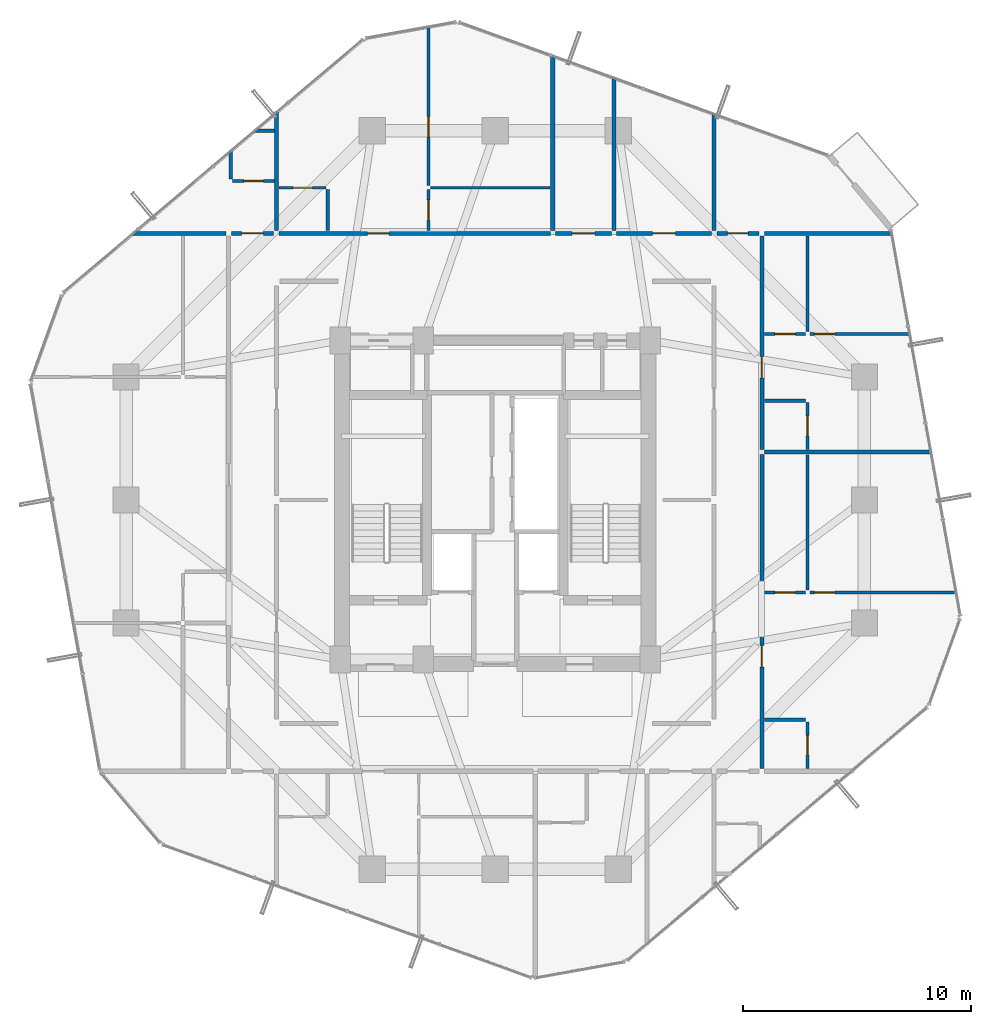
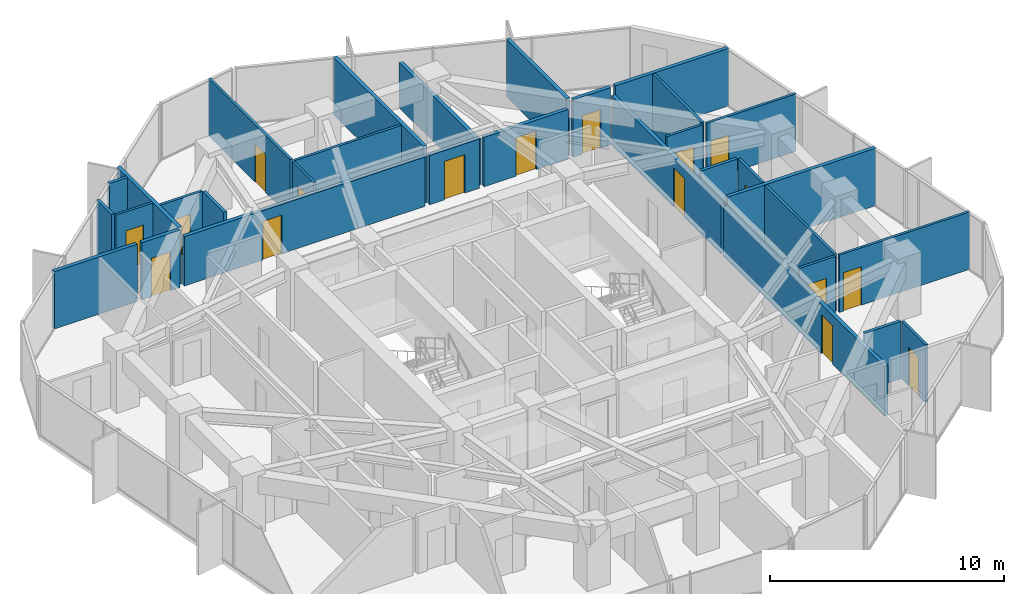
# One storey, part 33 of 36: 32 walls, 17 doors, 17 openings.
"""IFC4 building model written with IfcOpenShell, lengths in metres."""

from ifc_helpers import new_model, si_unit, direction, frame, frame_2d, origin, place, context, subcontext, project, spatial, rectangle, extrude, source, transform, mapped, material, layer, layer_set, type_object, element, fill, save


model = new_model("IFC4")

# Units and contexts
model_context = context("Model", 3, precision=1e-05, world=origin(), true_north=direction((0.0, 1.0)))
body_context = subcontext(model_context, "Body", "Model", "MODEL_VIEW")
ifc_project = project(units=[si_unit("LENGTHUNIT", "METRE"), si_unit("AREAUNIT", "SQUARE_METRE"), si_unit("VOLUMEUNIT", "CUBIC_METRE"), si_unit("PLANEANGLEUNIT", "RADIAN"), si_unit("MASSUNIT", "GRAM", prefix="KILO")], contexts=[model_context])

# Site, building, storey
site_placement = place(None, origin())
site = spatial("IfcSite", under=ifc_project, at=site_placement, CompositionType="ELEMENT")
building_placement = place(site_placement, origin())
building = spatial("IfcBuilding", under=site, at=building_placement, Name="Veraguas Prism Commons", CompositionType="ELEMENT")
storey_placement = place(building_placement, frame((0.0, 0.0, 163.050048828125)))
storey = spatial("IfcBuildingStorey", under=building, at=storey_placement, Name="L46", CompositionType="ELEMENT", Elevation=163.050048828125)

# Walls
ifc_material_1 = material(Name="Autoclaved aerated masonry block 10 MPa", Category="masonry")
ifc_layer_1 = layer(ifc_material_1, 0.179931640625, Name="Corridor and Inter-Tenancy Partition 180", Category="masonry")
ifc_layer_set_1 = layer_set([ifc_layer_1], Name="Autoclaved aerated masonry block 10 MPa")
wall_type_1 = type_object("IfcWallType", Name="Corridor and Inter-Tenancy Partition 180", PredefinedType="PARTITIONING", material=ifc_layer_set_1)
wall_1_placement = place(storey_placement, frame((14.39990234375, 35.820068359375, 0.0), z_axis=(0.0, 0.0, 1.0), x_axis=(0.0, 1.0, 0.0)))
element("IfcWall", 1, at=wall_1_placement, inside=storey, type_object=wall_type_1, Name="WL-L46-PT015", PredefinedType="PARTITIONING", context=body_context, shape_type="SweptSolid", body=[
    extrude(rectangle(XDim=5.2197265625, YDim=0.179931640625, at=frame_2d((2.60986328125, 0.0))), origin(), (0.0, 0.0, 1.0), 3.0),
])
wall_2_placement = place(storey_placement, frame((33.60009765625, 35.820068359375, 0.0), z_axis=(0.0, 0.0, 1.0), x_axis=(0.0, 1.0, 0.0)))
element("IfcWall", 2, at=wall_2_placement, inside=storey, type_object=wall_type_1, Name="WL-L46-PT016", PredefinedType="PARTITIONING", context=body_context, shape_type="SweptSolid", body=[
    extrude(rectangle(XDim=5.14208984375, YDim=0.179931640625, at=frame_2d((2.571044921875, 0.0))), origin(), (0.0, 0.0, 1.0), 3.0),
])

# Wall, opening, door
wall_3_placement = place(storey_placement, frame((14.510009765625, 35.699951171875, 0.0), z_axis=(0.0, 0.0, 1.0), x_axis=(1.0, 0.0, 0.0)))
wall_3 = element("IfcWall", 3, at=wall_3_placement, inside=storey, type_object=wall_type_1, Name="WL-L46-PT017", PredefinedType="PARTITIONING", context=body_context, shape_type="SweptSolid", body=[
    extrude(rectangle(XDim=11.904052734375, YDim=0.179931640625, at=frame_2d((5.9521484375, 0.0))), origin(), (0.0, 0.0, 1.0), 2.579833984375),
])
opening_1_placement = place(wall_3_placement, frame((3.8740234375, 0.0, 0.0)))
opening_1 = element("IfcOpeningElement", 4, at=opening_1_placement, cuts=wall_3, Name="Opening DR-01", PredefinedType="OPENING", context=body_context, shape_type="SweptSolid", body=[
    extrude(rectangle(XDim=0.949951171875, YDim=2.02001953125, at=frame_2d((0.47509765625, 1.010009765625))), frame((0.0, 0.099853515625, 0.0), z_axis=(0.0, -1.0, 0.0), x_axis=(1.0, 0.0, 0.0)), (0.0, 0.0, 1.0), 0.199951171875),
])
ifc_material_2 = material(Name="Anodised aluminium EN AW-6063 T6", Category="aluminium")
door_type_1 = type_object("IfcDoorType", Name="Apartment Entrance Fire Door 950x2020", OperationType="NOTDEFINED", PredefinedType="DOOR", material=ifc_material_2)
shared_shape_1 = source(origin(), body_context, "Body", "SweptSolid", [
    extrude(rectangle(XDim=0.949951171875, YDim=2.02001953125, at=frame_2d((0.47509765625, 1.010009765625))), frame((0.0, 0.02490234375, 0.0), z_axis=(0.0, -1.0, 0.0), x_axis=(1.0, 0.0, 0.0)), (0.0, 0.0, 1.0), 0.050048828125),
])
door_1_placement = place(opening_1_placement, origin())
door_1 = element("IfcDoor", 5, at=door_1_placement, inside=storey, type_object=door_type_1, Name="Flat 46C Entrance Door", OperationType="SINGLE_SWING_RIGHT", OverallHeight=2.02001953125, OverallWidth=0.949951171875, PredefinedType="DOOR", context=body_context, shape_type="MappedRepresentation", body=[
    mapped(shared_shape_1, transform((0.0, 0.0, 0.0), scale=1.0)),
])
fill(opening_1, door_1)

# Wall
wall_4_placement = place(storey_placement, frame((26.52392578125, 35.820068359375, 0.0), z_axis=(0.0, 0.0, 1.0), x_axis=(0.0, 1.0, 0.0)))
element("IfcWall", 6, at=wall_4_placement, inside=storey, type_object=wall_type_1, Name="WL-L46-PT023", PredefinedType="PARTITIONING", context=body_context, shape_type="SweptSolid", body=[
    extrude(rectangle(XDim=7.692626953125, YDim=0.179931640625, at=frame_2d((3.84619140625, 0.0))), origin(), (0.0, 0.0, 1.0), 3.0),
])

# Wall, opening, door
wall_5_placement = place(storey_placement, frame((26.634033203125, 35.699951171875, 0.0), z_axis=(0.0, 0.0, 1.0), x_axis=(1.0, 0.0, 0.0)))
wall_5 = element("IfcWall", 7, at=wall_5_placement, inside=storey, type_object=wall_type_1, Name="WL-L46-PT024", PredefinedType="PARTITIONING", context=body_context, shape_type="SweptSolid", body=[
    extrude(rectangle(XDim=2.468994140625, YDim=0.179931640625, at=frame_2d((1.234375, 0.0))), origin(), (0.0, 0.0, 1.0), 2.579833984375),
])
opening_2_placement = place(wall_5_placement, frame((0.734619140625, 0.0, 0.0)))
opening_2 = element("IfcOpeningElement", 8, at=opening_2_placement, cuts=wall_5, Name="Opening DR-13", PredefinedType="OPENING", context=body_context, shape_type="SweptSolid", body=[
    extrude(rectangle(XDim=1.0, YDim=2.010009765625, at=frame_2d((0.5, 1.0048828125))), frame((0.0, 0.099853515625, 0.0), z_axis=(0.0, -1.0, 0.0), x_axis=(1.0, 0.0, 0.0)), (0.0, 0.0, 1.0), 0.199951171875),
])
ifc_material_3 = material(Name="Steel fire-rated door assembly", Category="steel")
door_type_2 = type_object("IfcDoorType", Name="Core Accessible WC and Clinic Fire Door 1000x2010", OperationType="NOTDEFINED", PredefinedType="DOOR", material=ifc_material_3)
shared_shape_2 = source(origin(), body_context, "Body", "SweptSolid", [
    extrude(rectangle(XDim=1.0, YDim=2.010009765625, at=frame_2d((0.5, 1.0048828125))), frame((0.0, 0.02490234375, 0.0), z_axis=(0.0, -1.0, 0.0), x_axis=(1.0, 0.0, 0.0)), (0.0, 0.0, 1.0), 0.050048828125),
])
door_2_placement = place(opening_2_placement, origin())
door_2 = element("IfcDoor", 9, at=door_2_placement, inside=storey, type_object=door_type_2, Name="Residents Study Room Door", OperationType="SINGLE_SWING_RIGHT", OverallHeight=2.010009765625, OverallWidth=1.0, PredefinedType="DOOR", context=body_context, shape_type="MappedRepresentation", body=[
    mapped(shared_shape_2, transform((0.0, 0.0, 0.0), scale=1.0)),
])
fill(opening_2, door_2)

wall_6_placement = place(storey_placement, frame((29.322998046875, 35.699951171875, 0.0), z_axis=(0.0, 0.0, 1.0), x_axis=(1.0, 0.0, 0.0)))
wall_6 = element("IfcWall", 10, at=wall_6_placement, inside=storey, type_object=wall_type_1, Name="WL-L46-PT025", PredefinedType="PARTITIONING", context=body_context, shape_type="SweptSolid", body=[
    extrude(rectangle(XDim=4.1669921875, YDim=0.179931640625, at=frame_2d((2.08349609375, 0.0))), origin(), (0.0, 0.0, 1.0), 2.579833984375),
])
opening_3_placement = place(wall_6_placement, frame((1.58349609375, 0.0, 0.0)))
opening_3 = element("IfcOpeningElement", 11, at=opening_3_placement, cuts=wall_6, Name="Opening DR-13", PredefinedType="OPENING", context=body_context, shape_type="SweptSolid", body=[
    extrude(rectangle(XDim=1.0, YDim=2.010009765625, at=frame_2d((0.5, 1.0048828125))), frame((0.0, 0.099853515625, 0.0), z_axis=(0.0, -1.0, 0.0), x_axis=(1.0, 0.0, 0.0)), (0.0, 0.0, 1.0), 0.199951171875),
])
door_3_placement = place(opening_3_placement, origin())
door_3 = element("IfcDoor", 12, at=door_3_placement, inside=storey, type_object=door_type_2, Name="Co-op Store N Door", OperationType="SINGLE_SWING_LEFT", OverallHeight=2.010009765625, OverallWidth=1.0, PredefinedType="DOOR", context=body_context, shape_type="MappedRepresentation", body=[
    mapped(shared_shape_2, transform((0.0, 0.0, 0.0), scale=1.0)),
])
fill(opening_3, door_3)

# Walls
wall_7_placement = place(storey_placement, frame((29.212890625, 35.820068359375, 0.0), z_axis=(0.0, 0.0, 1.0), x_axis=(0.0, 1.0, 0.0)))
element("IfcWall", 13, at=wall_7_placement, inside=storey, type_object=wall_type_1, Name="WL-L46-PT026", PredefinedType="PARTITIONING", context=body_context, shape_type="SweptSolid", body=[
    extrude(rectangle(XDim=6.723388671875, YDim=0.179931640625, at=frame_2d((3.36181640625, 0.0))), origin(), (0.0, 0.0, 1.0), 2.3779296875),
])
wall_8_placement = place(storey_placement, frame((12.179931640625, 35.699951171875, 0.0), z_axis=(0.0, 0.0, 1.0), x_axis=(-1.0, 0.0, 0.0)))
element("IfcWall", 14, at=wall_8_placement, inside=storey, type_object=wall_type_1, Name="WL-L46-PT028", PredefinedType="PARTITIONING", context=body_context, shape_type="SweptSolid", body=[
    extrude(rectangle(XDim=4.10302734375, YDim=0.179931640625, at=frame_2d((2.051513671875, 0.0))), origin(), (0.0, 0.0, 1.0), 3.0),
])
wall_9_placement = place(storey_placement, frame((35.820068359375, 35.699951171875, 0.0), z_axis=(0.0, 0.0, 1.0), x_axis=(1.0, 0.0, 0.0)))
element("IfcWall", 15, at=wall_9_placement, inside=storey, type_object=wall_type_1, Name="WL-L46-PT040", PredefinedType="PARTITIONING", context=body_context, shape_type="SweptSolid", body=[
    extrude(rectangle(XDim=5.5986328125, YDim=0.179931640625, at=frame_2d((2.79931640625, 0.0))), origin(), (0.0, 0.0, 1.0), 3.0),
])

# Wall, opening, door
wall_10_placement = place(storey_placement, frame((35.699951171875, 12.2099609375, 0.0), z_axis=(0.0, 0.0, 1.0), x_axis=(0.0, 1.0, 0.0)))
wall_10 = element("IfcWall", 16, at=wall_10_placement, inside=storey, type_object=wall_type_1, Name="WL-L46-PT041", PredefinedType="PARTITIONING", context=body_context, shape_type="SweptSolid", body=[
    extrude(rectangle(XDim=13.781982421875, YDim=0.179931640625, at=frame_2d((6.89111328125, 0.0))), origin(), (0.0, 0.0, 1.0), 2.579833984375),
])
opening_4_placement = place(wall_10_placement, frame((4.46044921875, 0.0, 0.0)))
opening_4 = element("IfcOpeningElement", 17, at=opening_4_placement, cuts=wall_10, Name="Opening DR-01", PredefinedType="OPENING", context=body_context, shape_type="SweptSolid", body=[
    extrude(rectangle(XDim=0.949951171875, YDim=2.02001953125, at=frame_2d((0.47509765625, 1.010009765625))), frame((0.0, 0.099853515625, 0.0), z_axis=(0.0, -1.0, 0.0), x_axis=(1.0, 0.0, 0.0)), (0.0, 0.0, 1.0), 0.199951171875),
])
door_4_placement = place(opening_4_placement, origin())
door_4 = element("IfcDoor", 18, at=door_4_placement, inside=storey, type_object=door_type_1, Name="Flat 46E Entrance Door", OperationType="SINGLE_SWING_RIGHT", OverallHeight=2.02001953125, OverallWidth=0.949951171875, PredefinedType="DOOR", context=body_context, shape_type="MappedRepresentation", body=[
    mapped(shared_shape_1, transform((0.0, 0.0, 0.0), scale=1.0)),
])
fill(opening_4, door_4)

# Wall
wall_11_placement = place(storey_placement, frame((35.820068359375, 26.10205078125, 0.0), z_axis=(0.0, 0.0, 1.0), x_axis=(1.0, 0.0, 0.0)))
element("IfcWall", 19, at=wall_11_placement, inside=storey, type_object=wall_type_1, Name="WL-L46-PT047", PredefinedType="PARTITIONING", context=body_context, shape_type="SweptSolid", body=[
    extrude(rectangle(XDim=7.322265625, YDim=0.179931640625, at=frame_2d((3.6611328125, 0.0))), origin(), (0.0, 0.0, 1.0), 3.0),
])

# Wall, opening, door
wall_12_placement = place(storey_placement, frame((35.699951171875, 26.2119140625, 0.0), z_axis=(0.0, 0.0, 1.0), x_axis=(0.0, 1.0, 0.0)))
wall_12 = element("IfcWall", 20, at=wall_12_placement, inside=storey, type_object=wall_type_1, Name="WL-L46-PT048", PredefinedType="PARTITIONING", context=body_context, shape_type="SweptSolid", body=[
    extrude(rectangle(XDim=9.378173828125, YDim=0.179931640625, at=frame_2d((4.68896484375, 0.0))), origin(), (0.0, 0.0, 1.0), 2.579833984375),
])
opening_5_placement = place(wall_12_placement, frame((3.131591796875, 0.0, 0.0)))
opening_5 = element("IfcOpeningElement", 21, at=opening_5_placement, cuts=wall_12, Name="Opening DR-01", PredefinedType="OPENING", context=body_context, shape_type="SweptSolid", body=[
    extrude(rectangle(XDim=0.949951171875, YDim=2.02001953125, at=frame_2d((0.47509765625, 1.010009765625))), frame((0.0, 0.099853515625, 0.0), z_axis=(0.0, -1.0, 0.0), x_axis=(1.0, 0.0, 0.0)), (0.0, 0.0, 1.0), 0.199951171875),
])
door_5_placement = place(opening_5_placement, origin())
door_5 = element("IfcDoor", 22, at=door_5_placement, inside=storey, type_object=door_type_1, Name="Flat 46F Entrance Door", OperationType="SINGLE_SWING_RIGHT", OverallHeight=2.02001953125, OverallWidth=0.949951171875, PredefinedType="DOOR", context=body_context, shape_type="MappedRepresentation", body=[
    mapped(shared_shape_1, transform((0.0, 0.0, 0.0), scale=1.0)),
])
fill(opening_5, door_5)

wall_13_placement = place(storey_placement, frame((12.419921875, 35.699951171875, 0.0), z_axis=(0.0, 0.0, 1.0), x_axis=(1.0, 0.0, 0.0)))
wall_13 = element("IfcWall", 23, at=wall_13_placement, inside=storey, type_object=wall_type_1, Name="WL-L46-PT059", PredefinedType="PARTITIONING", context=body_context, shape_type="SweptSolid", body=[
    extrude(rectangle(XDim=1.860107421875, YDim=0.179931640625, at=frame_2d((0.93017578125, 0.0))), origin(), (0.0, 0.0, 1.0), 3.0),
])
opening_6_placement = place(wall_13_placement, frame((0.455078125, 0.0, 0.0)))
opening_6 = element("IfcOpeningElement", 24, at=opening_6_placement, cuts=wall_13, Name="Opening DR-01", PredefinedType="OPENING", context=body_context, shape_type="SweptSolid", body=[
    extrude(rectangle(XDim=0.949951171875, YDim=2.02001953125, at=frame_2d((0.47509765625, 1.010009765625))), frame((0.0, 0.099853515625, 0.0), z_axis=(0.0, -1.0, 0.0), x_axis=(1.0, 0.0, 0.0)), (0.0, 0.0, 1.0), 0.199951171875),
])
door_6_placement = place(opening_6_placement, origin())
door_6 = element("IfcDoor", 25, at=door_6_placement, inside=storey, type_object=door_type_1, Name="Studio 46H Entrance Door", OperationType="SINGLE_SWING_LEFT", OverallHeight=2.02001953125, OverallWidth=0.949951171875, PredefinedType="DOOR", context=body_context, shape_type="MappedRepresentation", body=[
    mapped(shared_shape_1, transform((0.0, 0.0, 0.0), scale=1.0)),
])
fill(opening_6, door_6)

wall_14_placement = place(storey_placement, frame((33.719970703125, 35.699951171875, 0.0), z_axis=(0.0, 0.0, 1.0), x_axis=(1.0, 0.0, 0.0)))
wall_14 = element("IfcWall", 26, at=wall_14_placement, inside=storey, type_object=wall_type_1, Name="WL-L46-PT063", PredefinedType="PARTITIONING", context=body_context, shape_type="SweptSolid", body=[
    extrude(rectangle(XDim=1.860107421875, YDim=0.179931640625, at=frame_2d((0.93017578125, 0.0))), origin(), (0.0, 0.0, 1.0), 3.0),
])
opening_7_placement = place(wall_14_placement, frame((0.47998046875, 0.0, 0.0)))
opening_7 = element("IfcOpeningElement", 27, at=opening_7_placement, cuts=wall_14, Name="Opening DR-14", PredefinedType="OPENING", context=body_context, shape_type="SweptSolid", body=[
    extrude(rectangle(XDim=0.89990234375, YDim=2.010009765625, at=frame_2d((0.449951171875, 1.0048828125))), frame((0.0, 0.099853515625, 0.0), z_axis=(0.0, -1.0, 0.0), x_axis=(1.0, 0.0, 0.0)), (0.0, 0.0, 1.0), 0.199951171875),
])
door_type_3 = type_object("IfcDoorType", Name="Core Service Room Fire Door 900x2010", OperationType="NOTDEFINED", PredefinedType="DOOR", material=ifc_material_3)
shared_shape_3 = source(origin(), body_context, "Body", "SweptSolid", [
    extrude(rectangle(XDim=0.89990234375, YDim=2.010009765625, at=frame_2d((0.449951171875, 1.0048828125))), frame((0.0, 0.02490234375, 0.0), z_axis=(0.0, -1.0, 0.0), x_axis=(1.0, 0.0, 0.0)), (0.0, 0.0, 1.0), 0.050048828125),
])
door_7_placement = place(opening_7_placement, origin())
door_7 = element("IfcDoor", 28, at=door_7_placement, inside=storey, type_object=door_type_3, Name="Residents Corner Study Room NE Door", OperationType="SINGLE_SWING_LEFT", OverallHeight=2.010009765625, OverallWidth=0.89990234375, PredefinedType="DOOR", context=body_context, shape_type="MappedRepresentation", body=[
    mapped(shared_shape_3, transform((0.0, 0.0, 0.0), scale=1.0)),
])
fill(opening_7, door_7)

ifc_material_4 = material(Name="Lightweight acoustic gypsum board")
ifc_layer_2 = layer(ifc_material_4, 0.125, Name="Internal Apartment Room Partition 125")
ifc_layer_set_2 = layer_set([ifc_layer_2], Name="Lightweight acoustic gypsum board")
wall_type_2 = type_object("IfcWallType", Name="Internal Apartment Room Partition 125", PredefinedType="PARTITIONING", material=ifc_layer_set_2)
wall_15_placement = place(storey_placement, frame((14.52001953125, 37.699951171875, 0.0), z_axis=(0.0, 0.0, 1.0), x_axis=(1.0, 0.0, 0.0)))
wall_15 = element("IfcWall", 29, at=wall_15_placement, inside=storey, type_object=wall_type_2, Name="WL-L46-PT019", PredefinedType="PARTITIONING", context=body_context, shape_type="SweptSolid", body=[
    extrude(rectangle(XDim=2.050048828125, YDim=0.125, at=frame_2d((1.02490234375, 0.0))), origin(), (0.0, 0.0, 1.0), 3.0),
])
opening_8_placement = place(wall_15_placement, frame((0.594970703125, 0.0, 0.0)))
opening_8 = element("IfcOpeningElement", 30, at=opening_8_placement, cuts=wall_15, Name="Opening DR-03", PredefinedType="OPENING", context=body_context, shape_type="SweptSolid", body=[
    extrude(rectangle(XDim=0.860107421875, YDim=2.010009765625, at=frame_2d((0.43017578125, 1.0048828125))), frame((0.0, 0.072509765625, 0.0), z_axis=(0.0, -1.0, 0.0), x_axis=(1.0, 0.0, 0.0)), (0.0, 0.0, 1.0), 0.14501953125),
])
ifc_material_5 = material(Name="Timber moisture-resistant leaf", Category="wood")
door_type_4 = type_object("IfcDoorType", Name="Internal Bathroom Door 860x2010", OperationType="NOTDEFINED", PredefinedType="DOOR", material=ifc_material_5)
shared_shape_4 = source(origin(), body_context, "Body", "SweptSolid", [
    extrude(rectangle(XDim=0.860107421875, YDim=2.010009765625, at=frame_2d((0.43017578125, 1.0048828125))), frame((0.0, 0.02490234375, 0.0), z_axis=(0.0, -1.0, 0.0), x_axis=(1.0, 0.0, 0.0)), (0.0, 0.0, 1.0), 0.050048828125),
])
door_8_placement = place(opening_8_placement, origin())
door_8 = element("IfcDoor", 31, at=door_8_placement, inside=storey, type_object=door_type_4, Name="Flat 46C Bathroom Door", OperationType="SINGLE_SWING_LEFT", OverallHeight=2.010009765625, OverallWidth=0.860107421875, PredefinedType="DOOR", context=body_context, shape_type="MappedRepresentation", body=[
    mapped(shared_shape_4, transform((0.0, 0.0, 0.0), scale=1.0)),
])
fill(opening_8, door_8)

wall_16_placement = place(storey_placement, frame((21.068115234375, 35.820068359375, 0.0), z_axis=(0.0, 0.0, 1.0), x_axis=(0.0, 1.0, 0.0)))
wall_16 = element("IfcWall", 32, at=wall_16_placement, inside=storey, type_object=wall_type_2, Name="WL-L46-PT020", PredefinedType="PARTITIONING", context=body_context, shape_type="SweptSolid", body=[
    extrude(rectangle(XDim=1.800048828125, YDim=0.125, at=frame_2d((0.89990234375, 0.0))), origin(), (0.0, 0.0, 1.0), 3.0),
])
opening_9_placement = place(wall_16_placement, frame((0.449951171875, 0.0, 0.0)))
opening_9 = element("IfcOpeningElement", 33, at=opening_9_placement, cuts=wall_16, Name="Opening DR-02", PredefinedType="OPENING", context=body_context, shape_type="SweptSolid", body=[
    extrude(rectangle(XDim=0.89990234375, YDim=2.010009765625, at=frame_2d((0.449951171875, 1.0048828125))), frame((0.0, 0.072509765625, 0.0), z_axis=(0.0, -1.0, 0.0), x_axis=(1.0, 0.0, 0.0)), (0.0, 0.0, 1.0), 0.14501953125),
])
ifc_material_6 = material(Name="Timber solid core hardwood", Category="wood")
door_type_5 = type_object("IfcDoorType", Name="Internal Habitable Room Door 900x2010", OperationType="NOTDEFINED", PredefinedType="DOOR", material=ifc_material_6)
door_9_placement = place(opening_9_placement, origin())
door_9 = element("IfcDoor", 34, at=door_9_placement, inside=storey, type_object=door_type_5, Name="Flat 46C Kitchen Door", OperationType="SINGLE_SWING_RIGHT", OverallHeight=2.010009765625, OverallWidth=0.89990234375, PredefinedType="DOOR", context=body_context, shape_type="MappedRepresentation", body=[
    mapped(shared_shape_3, transform((0.0, 0.0, 0.0), scale=1.0)),
])
fill(opening_9, door_9)

# Wall
wall_17_placement = place(storey_placement, frame((21.16796875, 37.699951171875, 0.0), z_axis=(0.0, 0.0, 1.0), x_axis=(1.0, 0.0, 0.0)))
element("IfcWall", 35, at=wall_17_placement, inside=storey, type_object=wall_type_2, Name="WL-L46-PT021", PredefinedType="PARTITIONING", context=body_context, shape_type="SweptSolid", body=[
    extrude(rectangle(XDim=5.236083984375, YDim=0.125, at=frame_2d((2.6181640625, 0.0))), origin(), (0.0, 0.0, 1.0), 3.0),
])

# Wall, opening, door
wall_18_placement = place(storey_placement, frame((21.068115234375, 37.800048828125, 0.0), z_axis=(0.0, 0.0, 1.0), x_axis=(0.0, 1.0, 0.0)))
wall_18 = element("IfcWall", 36, at=wall_18_placement, inside=storey, type_object=wall_type_2, Name="WL-L46-PT022", PredefinedType="PARTITIONING", context=body_context, shape_type="SweptSolid", body=[
    extrude(rectangle(XDim=6.990234375, YDim=0.125, at=frame_2d((3.4951171875, 0.0))), origin(), (0.0, 0.0, 1.0), 3.0),
])
opening_10_placement = place(wall_18_placement, frame((2.134765625, 0.0, 0.0)))
opening_10 = element("IfcOpeningElement", 37, at=opening_10_placement, cuts=wall_18, Name="Opening DR-02", PredefinedType="OPENING", context=body_context, shape_type="SweptSolid", body=[
    extrude(rectangle(XDim=0.89990234375, YDim=2.010009765625, at=frame_2d((0.449951171875, 1.0048828125))), frame((0.0, 0.072509765625, 0.0), z_axis=(0.0, -1.0, 0.0), x_axis=(1.0, 0.0, 0.0)), (0.0, 0.0, 1.0), 0.14501953125),
])
door_10_placement = place(opening_10_placement, origin())
door_10 = element("IfcDoor", 38, at=door_10_placement, inside=storey, type_object=door_type_5, Name="Flat 46C Bedroom 1 Door", OperationType="SINGLE_SWING_LEFT", OverallHeight=2.010009765625, OverallWidth=0.89990234375, PredefinedType="DOOR", context=body_context, shape_type="MappedRepresentation", body=[
    mapped(shared_shape_3, transform((0.0, 0.0, 0.0), scale=1.0)),
])
fill(opening_10, door_10)

wall_19_placement = place(storey_placement, frame((37.699951171875, 12.219970703125, 0.0), z_axis=(0.0, 0.0, 1.0), x_axis=(0.0, 1.0, 0.0)))
wall_19 = element("IfcWall", 39, at=wall_19_placement, inside=storey, type_object=wall_type_2, Name="WL-L46-PT043", PredefinedType="PARTITIONING", context=body_context, shape_type="SweptSolid", body=[
    extrude(rectangle(XDim=2.050048828125, YDim=0.125, at=frame_2d((1.02490234375, 0.0))), origin(), (0.0, 0.0, 1.0), 3.0),
])
opening_11_placement = place(wall_19_placement, frame((0.594970703125, 0.0, 0.0)))
opening_11 = element("IfcOpeningElement", 40, at=opening_11_placement, cuts=wall_19, Name="Opening DR-03", PredefinedType="OPENING", context=body_context, shape_type="SweptSolid", body=[
    extrude(rectangle(XDim=0.860107421875, YDim=2.010009765625, at=frame_2d((0.43017578125, 1.0048828125))), frame((0.0, 0.072509765625, 0.0), z_axis=(0.0, -1.0, 0.0), x_axis=(1.0, 0.0, 0.0)), (0.0, 0.0, 1.0), 0.14501953125),
])
door_11_placement = place(opening_11_placement, origin())
door_11 = element("IfcDoor", 41, at=door_11_placement, inside=storey, type_object=door_type_4, Name="Flat 46E Bathroom Door", OperationType="SINGLE_SWING_LEFT", OverallHeight=2.010009765625, OverallWidth=0.860107421875, PredefinedType="DOOR", context=body_context, shape_type="MappedRepresentation", body=[
    mapped(shared_shape_4, transform((0.0, 0.0, 0.0), scale=1.0)),
])
fill(opening_11, door_11)

wall_20_placement = place(storey_placement, frame((35.820068359375, 19.94091796875, 0.0), z_axis=(0.0, 0.0, 1.0), x_axis=(1.0, 0.0, 0.0)))
wall_20 = element("IfcWall", 42, at=wall_20_placement, inside=storey, type_object=wall_type_2, Name="WL-L46-PT044", PredefinedType="PARTITIONING", context=body_context, shape_type="SweptSolid", body=[
    extrude(rectangle(XDim=1.800048828125, YDim=0.125, at=frame_2d((0.89990234375, 0.0))), origin(), (0.0, 0.0, 1.0), 3.0),
])
opening_12_placement = place(wall_20_placement, frame((0.449951171875, 0.0, 0.0)))
opening_12 = element("IfcOpeningElement", 43, at=opening_12_placement, cuts=wall_20, Name="Opening DR-02", PredefinedType="OPENING", context=body_context, shape_type="SweptSolid", body=[
    extrude(rectangle(XDim=0.89990234375, YDim=2.010009765625, at=frame_2d((0.449951171875, 1.0048828125))), frame((0.0, 0.072509765625, 0.0), z_axis=(0.0, -1.0, 0.0), x_axis=(1.0, 0.0, 0.0)), (0.0, 0.0, 1.0), 0.14501953125),
])
door_12_placement = place(opening_12_placement, origin())
door_12 = element("IfcDoor", 44, at=door_12_placement, inside=storey, type_object=door_type_5, Name="Flat 46E Kitchen Door", OperationType="SINGLE_SWING_RIGHT", OverallHeight=2.010009765625, OverallWidth=0.89990234375, PredefinedType="DOOR", context=body_context, shape_type="MappedRepresentation", body=[
    mapped(shared_shape_3, transform((0.0, 0.0, 0.0), scale=1.0)),
])
fill(opening_12, door_12)

# Wall
wall_21_placement = place(storey_placement, frame((37.699951171875, 20.041015625, 0.0), z_axis=(0.0, 0.0, 1.0), x_axis=(0.0, 1.0, 0.0)))
element("IfcWall", 45, at=wall_21_placement, inside=storey, type_object=wall_type_2, Name="WL-L46-PT045", PredefinedType="PARTITIONING", context=body_context, shape_type="SweptSolid", body=[
    extrude(rectangle(XDim=5.94091796875, YDim=0.125, at=frame_2d((2.970458984375, 0.0))), origin(), (0.0, 0.0, 1.0), 3.0),
])

# Wall, opening, door
wall_22_placement = place(storey_placement, frame((37.800048828125, 19.94091796875, 0.0), z_axis=(0.0, 0.0, 1.0), x_axis=(1.0, 0.0, 0.0)))
wall_22 = element("IfcWall", 46, at=wall_22_placement, inside=storey, type_object=wall_type_2, Name="WL-L46-PT046", PredefinedType="PARTITIONING", context=body_context, shape_type="SweptSolid", body=[
    extrude(rectangle(XDim=6.448486328125, YDim=0.125, at=frame_2d((3.22412109375, 0.0))), origin(), (0.0, 0.0, 1.0), 3.0),
])
opening_13_placement = place(wall_22_placement, frame((0.199951171875, 0.0, 0.0)))
opening_13 = element("IfcOpeningElement", 47, at=opening_13_placement, cuts=wall_22, Name="Opening DR-02", PredefinedType="OPENING", context=body_context, shape_type="SweptSolid", body=[
    extrude(rectangle(XDim=0.89990234375, YDim=2.010009765625, at=frame_2d((0.449951171875, 1.0048828125))), frame((0.0, 0.072509765625, 0.0), z_axis=(0.0, -1.0, 0.0), x_axis=(1.0, 0.0, 0.0)), (0.0, 0.0, 1.0), 0.14501953125),
])
door_13_placement = place(opening_13_placement, origin())
door_13 = element("IfcDoor", 48, at=door_13_placement, inside=storey, type_object=door_type_5, Name="Flat 46E Bedroom 1 Door", OperationType="SINGLE_SWING_LEFT", OverallHeight=2.010009765625, OverallWidth=0.89990234375, PredefinedType="DOOR", context=body_context, shape_type="MappedRepresentation", body=[
    mapped(shared_shape_3, transform((0.0, 0.0, 0.0), scale=1.0)),
])
fill(opening_13, door_13)

wall_23_placement = place(storey_placement, frame((37.699951171875, 26.221923828125, 0.0), z_axis=(0.0, 0.0, 1.0), x_axis=(0.0, 1.0, 0.0)))
wall_23 = element("IfcWall", 49, at=wall_23_placement, inside=storey, type_object=wall_type_2, Name="WL-L46-PT050", PredefinedType="PARTITIONING", context=body_context, shape_type="SweptSolid", body=[
    extrude(rectangle(XDim=2.050048828125, YDim=0.125, at=frame_2d((1.02490234375, 0.0))), origin(), (0.0, 0.0, 1.0), 3.0),
])
opening_14_placement = place(wall_23_placement, frame((0.594970703125, 0.0, 0.0)))
opening_14 = element("IfcOpeningElement", 50, at=opening_14_placement, cuts=wall_23, Name="Opening DR-03", PredefinedType="OPENING", context=body_context, shape_type="SweptSolid", body=[
    extrude(rectangle(XDim=0.860107421875, YDim=2.010009765625, at=frame_2d((0.43017578125, 1.0048828125))), frame((0.0, 0.072509765625, 0.0), z_axis=(0.0, -1.0, 0.0), x_axis=(1.0, 0.0, 0.0)), (0.0, 0.0, 1.0), 0.14501953125),
])
door_14_placement = place(opening_14_placement, origin())
door_14 = element("IfcDoor", 51, at=door_14_placement, inside=storey, type_object=door_type_4, Name="Flat 46F Bathroom Door", OperationType="SINGLE_SWING_LEFT", OverallHeight=2.010009765625, OverallWidth=0.860107421875, PredefinedType="DOOR", context=body_context, shape_type="MappedRepresentation", body=[
    mapped(shared_shape_4, transform((0.0, 0.0, 0.0), scale=1.0)),
])
fill(opening_14, door_14)

wall_24_placement = place(storey_placement, frame((35.820068359375, 31.284912109375, 0.0), z_axis=(0.0, 0.0, 1.0), x_axis=(1.0, 0.0, 0.0)))
wall_24 = element("IfcWall", 52, at=wall_24_placement, inside=storey, type_object=wall_type_2, Name="WL-L46-PT051", PredefinedType="PARTITIONING", context=body_context, shape_type="SweptSolid", body=[
    extrude(rectangle(XDim=1.800048828125, YDim=0.125, at=frame_2d((0.89990234375, 0.0))), origin(), (0.0, 0.0, 1.0), 3.0),
])
opening_15_placement = place(wall_24_placement, frame((0.449951171875, 0.0, 0.0)))
opening_15 = element("IfcOpeningElement", 53, at=opening_15_placement, cuts=wall_24, Name="Opening DR-02", PredefinedType="OPENING", context=body_context, shape_type="SweptSolid", body=[
    extrude(rectangle(XDim=0.89990234375, YDim=2.010009765625, at=frame_2d((0.449951171875, 1.0048828125))), frame((0.0, 0.072509765625, 0.0), z_axis=(0.0, -1.0, 0.0), x_axis=(1.0, 0.0, 0.0)), (0.0, 0.0, 1.0), 0.14501953125),
])
door_15_placement = place(opening_15_placement, origin())
door_15 = element("IfcDoor", 54, at=door_15_placement, inside=storey, type_object=door_type_5, Name="Flat 46F Kitchen Door", OperationType="SINGLE_SWING_RIGHT", OverallHeight=2.010009765625, OverallWidth=0.89990234375, PredefinedType="DOOR", context=body_context, shape_type="MappedRepresentation", body=[
    mapped(shared_shape_3, transform((0.0, 0.0, 0.0), scale=1.0)),
])
fill(opening_15, door_15)

# Wall
wall_25_placement = place(storey_placement, frame((37.699951171875, 31.385009765625, 0.0), z_axis=(0.0, 0.0, 1.0), x_axis=(0.0, 1.0, 0.0)))
element("IfcWall", 55, at=wall_25_placement, inside=storey, type_object=wall_type_2, Name="WL-L46-PT052", PredefinedType="PARTITIONING", context=body_context, shape_type="SweptSolid", body=[
    extrude(rectangle(XDim=4.195068359375, YDim=0.125, at=frame_2d((2.09765625, 0.0))), origin(), (0.0, 0.0, 1.0), 3.0),
])

# Wall, opening, door
wall_26_placement = place(storey_placement, frame((37.800048828125, 31.284912109375, 0.0), z_axis=(0.0, 0.0, 1.0), x_axis=(1.0, 0.0, 0.0)))
wall_26 = element("IfcWall", 56, at=wall_26_placement, inside=storey, type_object=wall_type_2, Name="WL-L46-PT053", PredefinedType="PARTITIONING", context=body_context, shape_type="SweptSolid", body=[
    extrude(rectangle(XDim=4.41162109375, YDim=0.125, at=frame_2d((2.205810546875, 0.0))), origin(), (0.0, 0.0, 1.0), 3.0),
])
opening_16_placement = place(wall_26_placement, frame((0.199951171875, 0.0, 0.0)))
opening_16 = element("IfcOpeningElement", 57, at=opening_16_placement, cuts=wall_26, Name="Opening DR-02", PredefinedType="OPENING", context=body_context, shape_type="SweptSolid", body=[
    extrude(rectangle(XDim=0.89990234375, YDim=2.010009765625, at=frame_2d((0.449951171875, 1.0048828125))), frame((0.0, 0.072509765625, 0.0), z_axis=(0.0, -1.0, 0.0), x_axis=(1.0, 0.0, 0.0)), (0.0, 0.0, 1.0), 0.14501953125),
])
door_16_placement = place(opening_16_placement, origin())
door_16 = element("IfcDoor", 58, at=door_16_placement, inside=storey, type_object=door_type_5, Name="Flat 46F Bedroom 1 Door", OperationType="SINGLE_SWING_LEFT", OverallHeight=2.010009765625, OverallWidth=0.89990234375, PredefinedType="DOOR", context=body_context, shape_type="MappedRepresentation", body=[
    mapped(shared_shape_3, transform((0.0, 0.0, 0.0), scale=1.0)),
])
fill(opening_16, door_16)

wall_27_placement = place(storey_placement, frame((12.47998046875, 38.0, 0.0), z_axis=(0.0, 0.0, 1.0), x_axis=(1.0, 0.0, 0.0)))
wall_27 = element("IfcWall", 59, at=wall_27_placement, inside=storey, type_object=wall_type_2, Name="WL-L46-PT060", PredefinedType="PARTITIONING", context=body_context, shape_type="SweptSolid", body=[
    extrude(rectangle(XDim=1.840087890625, YDim=0.125, at=frame_2d((0.919921875, 0.0))), origin(), (0.0, 0.0, 1.0), 3.0),
])
opening_17_placement = place(wall_27_placement, frame((0.489990234375, 0.0, 0.0)))
opening_17 = element("IfcOpeningElement", 60, at=opening_17_placement, cuts=wall_27, Name="Opening DR-03", PredefinedType="OPENING", context=body_context, shape_type="SweptSolid", body=[
    extrude(rectangle(XDim=0.860107421875, YDim=2.010009765625, at=frame_2d((0.43017578125, 1.0048828125))), frame((0.0, 0.072509765625, 0.0), z_axis=(0.0, -1.0, 0.0), x_axis=(1.0, 0.0, 0.0)), (0.0, 0.0, 1.0), 0.14501953125),
])
door_17_placement = place(opening_17_placement, origin())
door_17 = element("IfcDoor", 61, at=door_17_placement, inside=storey, type_object=door_type_4, Name="Studio 46H Bathroom Door", OperationType="SINGLE_SWING_RIGHT", OverallHeight=2.010009765625, OverallWidth=0.860107421875, PredefinedType="DOOR", context=body_context, shape_type="MappedRepresentation", body=[
    mapped(shared_shape_4, transform((0.0, 0.0, 0.0), scale=1.0)),
])
fill(opening_17, door_17)

# Walls
ifc_layer_3 = layer(ifc_material_4, 0.14990234375, Name="Wet Room and Clinic Acoustic Partition 150")
ifc_layer_set_3 = layer_set([ifc_layer_3], Name="Lightweight acoustic gypsum board")
wall_type_3 = type_object("IfcWallType", Name="Wet Room and Clinic Acoustic Partition 150", PredefinedType="PARTITIONING", material=ifc_layer_set_3)
for number, where, z_axis, x_axis, name in (
    (62, (16.64990234375, 35.820068359375, 0.0), (0.0, 0.0, 1.0), (0.0, 1.0, 0.0), "WL-L46-PT018"),
    (63, (35.820068359375, 14.35009765625, 0.0), (0.0, 0.0, 1.0), (1.0, 0.0, 0.0), "WL-L46-PT042"),
    (64, (35.820068359375, 28.35205078125, 0.0), (0.0, 0.0, 1.0), (1.0, 0.0, 0.0), "WL-L46-PT049"),
):
    element("IfcWall", number, at=place(storey_placement, frame(where, z_axis=z_axis, x_axis=x_axis)), inside=storey, type_object=wall_type_3, Name=name, PredefinedType="PARTITIONING", context=body_context, shape_type="SweptSolid", body=[
        extrude(rectangle(XDim=1.800048828125, YDim=0.14990234375, at=frame_2d((0.89990234375, 0.0))), origin(), (0.0, 0.0, 1.0), 3.0),
    ])
wall_28_placement = place(storey_placement, frame((13.40576171875, 40.199951171875, 0.0), z_axis=(0.0, 0.0, 1.0), x_axis=(1.0, 0.0, 0.0)))
element("IfcWall", 65, at=wall_28_placement, inside=storey, type_object=wall_type_3, Name="WL-L46-PT061", PredefinedType="PARTITIONING", context=body_context, shape_type="SweptSolid", body=[
    extrude(rectangle(XDim=0.914306640625, YDim=0.14990234375, at=frame_2d((0.45703125, 0.0))), origin(), (0.0, 0.0, 1.0), 3.0),
])
wall_29_placement = place(storey_placement, frame((12.39990234375, 38.080078125, 0.0), z_axis=(0.0, 0.0, 1.0), x_axis=(0.0, 1.0, 0.0)))
element("IfcWall", 66, at=wall_29_placement, inside=storey, type_object=wall_type_3, Name="WL-L46-PT062", PredefinedType="PARTITIONING", context=body_context, shape_type="SweptSolid", body=[
    extrude(rectangle(XDim=1.2705078125, YDim=0.14990234375, at=frame_2d((0.63525390625, 0.0))), origin(), (0.0, 0.0, 1.0), 3.0),
])

save(model, "model.ifc")
